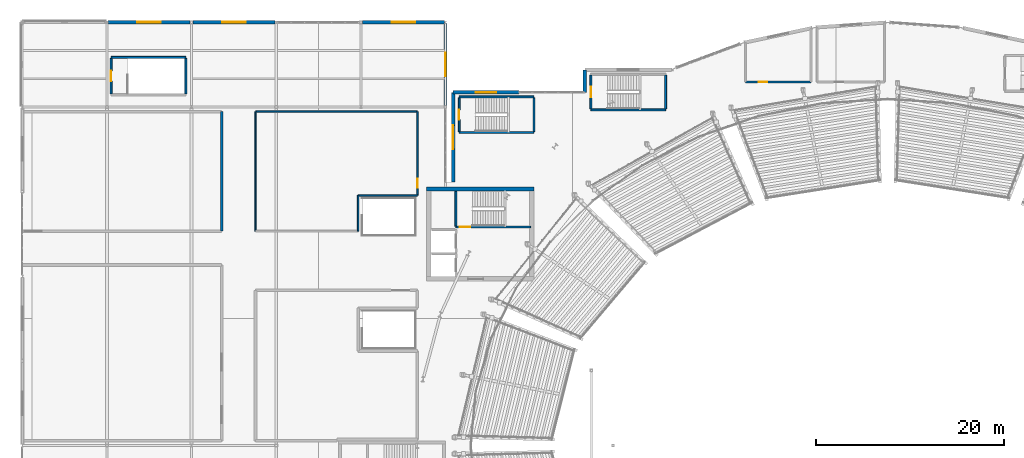
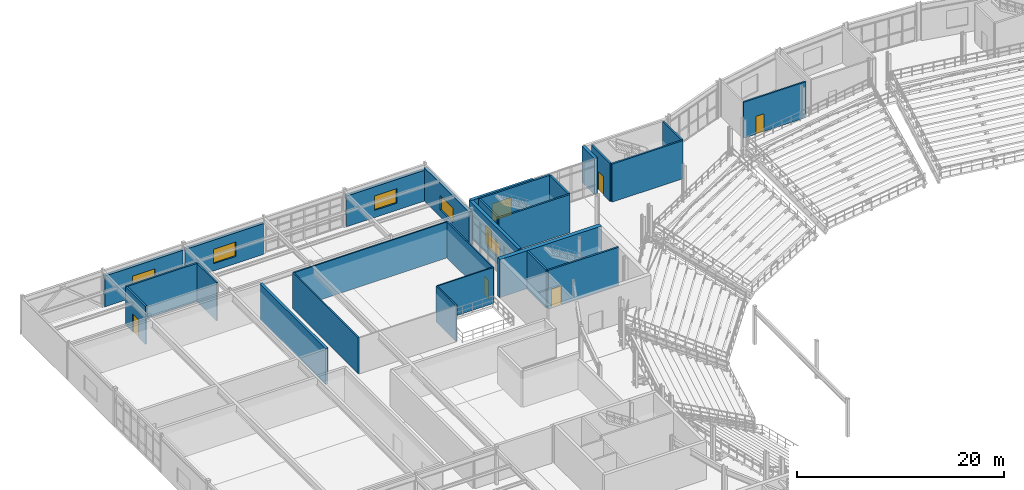
# One storey, part 57 of 81: 27 walls, 6 doors, 6 windows, 12 openings.
"""IFC4 building model written with IfcOpenShell, lengths in metres."""

from ifc_helpers import new_model, si_unit, direction, frame, frame_2d, origin, place, context, subcontext, project, spatial, rectangle, extrude, material, layer, layer_set, type_object, element, fill, save


model = new_model("IFC4")

# Units and contexts
model_context = context("Model", 3, precision=1e-05, world=origin(), true_north=direction((0.0, 1.0)))
body_context = subcontext(model_context, "Body", "Model", "MODEL_VIEW")
ifc_project = project(units=[si_unit("LENGTHUNIT", "METRE"), si_unit("AREAUNIT", "SQUARE_METRE"), si_unit("VOLUMEUNIT", "CUBIC_METRE"), si_unit("PLANEANGLEUNIT", "RADIAN"), si_unit("MASSUNIT", "GRAM", prefix="KILO")], contexts=[model_context])

# Site, building, storey
site_placement = place(None, origin())
site = spatial("IfcSite", under=ifc_project, at=site_placement, CompositionType="ELEMENT")
building_placement = place(site_placement, origin())
building = spatial("IfcBuilding", under=site, at=building_placement, Name="Glasvene Arena", CompositionType="ELEMENT")
storey_placement = place(building_placement, frame((0.0, 0.0, 15.0)))
storey = spatial("IfcBuildingStorey", under=building, at=storey_placement, Name="L03", CompositionType="ELEMENT", Elevation=15.0)

# Wall
ifc_material_1 = material(Name="Concrete C40/50", Category="concrete")
ifc_layer_1 = layer(ifc_material_1, 0.449951171875)
ifc_layer_set_1 = layer_set([ifc_layer_1], Name="Concrete C40/50")
wall_type_1 = type_object("IfcWallType", Name="WL-CORE-450", PredefinedType="SHEAR", material=ifc_layer_set_1)
wall_1_placement = place(storey_placement, frame((43.0, 100.27490234375, 0.0), z_axis=(0.0, 0.0, 1.0), x_axis=(1.0, 0.0, 0.0)))
element("IfcWall", 1, at=wall_1_placement, inside=storey, type_object=wall_type_1, Name="Core C1 North-West shear wall N L03", PredefinedType="SHEAR", context=body_context, shape_type="SweptSolid", body=[
    extrude(rectangle(XDim=11.39990234375, YDim=0.449951171875, at=frame_2d((5.699951171875, 0.0))), origin(), (0.0, 0.0, 1.0), 4.5),
])

# Wall, opening, window
ifc_material_2 = material(Name="Coursed pale Irish limestone", Category="masonry")
ifc_layer_2 = layer(ifc_material_2, 0.360107421875)
ifc_layer_set_2 = layer_set([ifc_layer_2], Name="Coursed pale Irish limestone")
wall_type_2 = type_object("IfcWallType", Name="WL-EXT-LIM-360", PredefinedType="STANDARD", material=ifc_layer_set_2)
wall_2_placement = place(storey_placement, frame((9.130126953125, 118.0, 0.0), z_axis=(0.0, 0.0, 1.0), x_axis=(1.0, 0.0, 0.0)))
wall_2 = element("IfcWall", 2, at=wall_2_placement, inside=storey, type_object=wall_type_2, Name="External facade wall EW-L03-0187", PredefinedType="STANDARD", context=body_context, shape_type="SweptSolid", body=[
    extrude(rectangle(XDim=8.7177734375, YDim=0.360107421875, at=frame_2d((4.35888671875, 0.0))), origin(), (0.0, 0.0, 1.0), 3.637451171875),
])
opening_1_placement = place(wall_2_placement, frame((3.10888671875, 0.0, 0.85009765625)))
opening_1 = element("IfcOpeningElement", 3, at=opening_1_placement, cuts=wall_2, Name="Opening W-14", PredefinedType="OPENING", context=body_context, shape_type="SweptSolid", body=[
    extrude(rectangle(XDim=2.5, YDim=1.699951171875, at=frame_2d((1.25, 0.85009765625))), frame((0.0, 0.18994140625, 0.0), z_axis=(0.0, -1.0, 0.0), x_axis=(1.0, 0.0, 0.0)), (0.0, 0.0, 1.0), 0.380126953125),
])
ifc_material_3 = material(Name="Low-emissivity laminated double glazing", Category="glass")
window_type_1 = type_object("IfcWindowType", Name="WN-MED-250x170", PartitioningType="DOUBLE_PANEL_VERTICAL", PredefinedType="WINDOW", material=ifc_material_3)
window_1_placement = place(opening_1_placement, origin())
window_1 = element("IfcWindow", 4, at=window_1_placement, inside=storey, type_object=window_type_1, Name="Facade window WN-MED-250x170 L03-0118", OverallHeight=1.699951171875, OverallWidth=2.5, PartitioningType="SINGLE_PANEL", PredefinedType="WINDOW", context=body_context, shape_type="SweptSolid", body=[
    extrude(rectangle(XDim=2.5, YDim=1.699951171875, at=frame_2d((1.25, 0.85009765625))), frame((0.0, 0.030029296875, 0.0), z_axis=(0.0, -1.0, 0.0), x_axis=(1.0, 0.0, 0.0)), (0.0, 0.0, 1.0), 0.06005859375),
])
fill(opening_1, window_1)

wall_3_placement = place(storey_placement, frame((18.152099609375, 118.0, 0.0), z_axis=(0.0, 0.0, 1.0), x_axis=(1.0, 0.0, 0.0)))
wall_3 = element("IfcWall", 5, at=wall_3_placement, inside=storey, type_object=wall_type_2, Name="External facade wall EW-L03-0188", PredefinedType="STANDARD", context=body_context, shape_type="SweptSolid", body=[
    extrude(rectangle(XDim=8.7177734375, YDim=0.360107421875, at=frame_2d((4.35888671875, 0.0))), origin(), (0.0, 0.0, 1.0), 3.637451171875),
])
opening_2_placement = place(wall_3_placement, frame((3.10888671875, 0.0, 0.85009765625)))
opening_2 = element("IfcOpeningElement", 6, at=opening_2_placement, cuts=wall_3, Name="Opening W-14", PredefinedType="OPENING", context=body_context, shape_type="SweptSolid", body=[
    extrude(rectangle(XDim=2.5, YDim=1.699951171875, at=frame_2d((1.25, 0.85009765625))), frame((0.0, 0.18994140625, 0.0), z_axis=(0.0, -1.0, 0.0), x_axis=(1.0, 0.0, 0.0)), (0.0, 0.0, 1.0), 0.380126953125),
])
window_2_placement = place(opening_2_placement, origin())
window_2 = element("IfcWindow", 7, at=window_2_placement, inside=storey, type_object=window_type_1, Name="Facade window WN-MED-250x170 L03-0119", OverallHeight=1.699951171875, OverallWidth=2.5, PartitioningType="SINGLE_PANEL", PredefinedType="WINDOW", context=body_context, shape_type="SweptSolid", body=[
    extrude(rectangle(XDim=2.5, YDim=1.699951171875, at=frame_2d((1.25, 0.85009765625))), frame((0.0, 0.030029296875, 0.0), z_axis=(0.0, -1.0, 0.0), x_axis=(1.0, 0.0, 0.0)), (0.0, 0.0, 1.0), 0.06005859375),
])
fill(opening_2, window_2)

wall_4_placement = place(storey_placement, frame((36.152099609375, 118.0, 0.0), z_axis=(0.0, 0.0, 1.0), x_axis=(1.0, 0.0, 0.0)))
wall_4 = element("IfcWall", 8, at=wall_4_placement, inside=storey, type_object=wall_type_2, Name="External facade wall EW-L03-0189", PredefinedType="STANDARD", context=body_context, shape_type="SweptSolid", body=[
    extrude(rectangle(XDim=8.7177734375, YDim=0.360107421875, at=frame_2d((4.35888671875, 0.0))), origin(), (0.0, 0.0, 1.0), 3.637451171875),
])
opening_3_placement = place(wall_4_placement, frame((3.10888671875, 0.0, 0.85009765625)))
opening_3 = element("IfcOpeningElement", 9, at=opening_3_placement, cuts=wall_4, Name="Opening W-14", PredefinedType="OPENING", context=body_context, shape_type="SweptSolid", body=[
    extrude(rectangle(XDim=2.5, YDim=1.699951171875, at=frame_2d((1.25, 0.85009765625))), frame((0.0, 0.18994140625, 0.0), z_axis=(0.0, -1.0, 0.0), x_axis=(1.0, 0.0, 0.0)), (0.0, 0.0, 1.0), 0.380126953125),
])
window_3_placement = place(opening_3_placement, origin())
window_3 = element("IfcWindow", 10, at=window_3_placement, inside=storey, type_object=window_type_1, Name="Facade window WN-MED-250x170 L03-0120", OverallHeight=1.699951171875, OverallWidth=2.5, PartitioningType="SINGLE_PANEL", PredefinedType="WINDOW", context=body_context, shape_type="SweptSolid", body=[
    extrude(rectangle(XDim=2.5, YDim=1.699951171875, at=frame_2d((1.25, 0.85009765625))), frame((0.0, 0.030029296875, 0.0), z_axis=(0.0, -1.0, 0.0), x_axis=(1.0, 0.0, 0.0)), (0.0, 0.0, 1.0), 0.06005859375),
])
fill(opening_3, window_3)

wall_5_placement = place(storey_placement, frame((45.0, 117.867919921875, 0.0), z_axis=(0.0, 0.0, 1.0), x_axis=(0.0, -1.0, 0.0)))
wall_5 = element("IfcWall", 11, at=wall_5_placement, inside=storey, type_object=wall_type_2, Name="External facade wall EW-L03-0190", PredefinedType="STANDARD", context=body_context, shape_type="SweptSolid", body=[
    extrude(rectangle(XDim=8.7158203125, YDim=0.360107421875, at=frame_2d((4.35791015625, 0.0))), origin(), (0.0, 0.0, 1.0), 3.945068359375),
])
opening_4_placement = place(wall_5_placement, frame((3.10791015625, 0.0, 0.85009765625)))
opening_4 = element("IfcOpeningElement", 12, at=opening_4_placement, cuts=wall_5, Name="Opening W-14", PredefinedType="OPENING", context=body_context, shape_type="SweptSolid", body=[
    extrude(rectangle(XDim=2.5, YDim=1.699951171875, at=frame_2d((1.25, 0.85009765625))), frame((0.0, 0.18994140625, 0.0), z_axis=(0.0, -1.0, 0.0), x_axis=(1.0, 0.0, 0.0)), (0.0, 0.0, 1.0), 0.380126953125),
])
window_4_placement = place(opening_4_placement, origin())
window_4 = element("IfcWindow", 13, at=window_4_placement, inside=storey, type_object=window_type_1, Name="Facade window WN-MED-250x170 L03-0121", OverallHeight=1.699951171875, OverallWidth=2.5, PartitioningType="SINGLE_PANEL", PredefinedType="WINDOW", context=body_context, shape_type="SweptSolid", body=[
    extrude(rectangle(XDim=2.5, YDim=1.699951171875, at=frame_2d((1.25, 0.85009765625))), frame((0.0, 0.030029296875, 0.0), z_axis=(0.0, -1.0, 0.0), x_axis=(1.0, 0.0, 0.0)), (0.0, 0.0, 1.0), 0.06005859375),
])
fill(opening_4, window_4)

wall_6_placement = place(storey_placement, frame((45.800048828125, 101.0, 0.0), z_axis=(0.0, 0.0, 1.0), x_axis=(0.0, 1.0, 0.0)))
wall_6 = element("IfcWall", 14, at=wall_6_placement, inside=storey, type_object=wall_type_2, Name="External facade wall EW-L03-0191", PredefinedType="STANDARD", context=body_context, shape_type="SweptSolid", body=[
    extrude(rectangle(XDim=9.550048828125, YDim=0.360107421875, at=frame_2d((4.77490234375, 0.0))), origin(), (0.0, 0.0, 1.0), 4.25),
])
opening_5_placement = place(wall_6_placement, frame((3.52490234375, 0.0, 0.85009765625)))
opening_5 = element("IfcOpeningElement", 15, at=opening_5_placement, cuts=wall_6, Name="Opening W-14", PredefinedType="OPENING", context=body_context, shape_type="SweptSolid", body=[
    extrude(rectangle(XDim=2.5, YDim=1.699951171875, at=frame_2d((1.25, 0.85009765625))), frame((0.0, 0.18994140625, 0.0), z_axis=(0.0, -1.0, 0.0), x_axis=(1.0, 0.0, 0.0)), (0.0, 0.0, 1.0), 0.380126953125),
])
window_5_placement = place(opening_5_placement, origin())
window_5 = element("IfcWindow", 16, at=window_5_placement, inside=storey, type_object=window_type_1, Name="Facade window WN-MED-250x170 L03-0122", OverallHeight=1.699951171875, OverallWidth=2.5, PartitioningType="SINGLE_PANEL", PredefinedType="WINDOW", context=body_context, shape_type="SweptSolid", body=[
    extrude(rectangle(XDim=2.5, YDim=1.699951171875, at=frame_2d((1.25, 0.85009765625))), frame((0.0, 0.030029296875, 0.0), z_axis=(0.0, -1.0, 0.0), x_axis=(1.0, 0.0, 0.0)), (0.0, 0.0, 1.0), 0.06005859375),
])
fill(opening_5, window_5)

wall_7_placement = place(storey_placement, frame((45.800048828125, 110.550048828125, 0.0), z_axis=(0.0, 0.0, 1.0), x_axis=(1.0, 0.0, 0.0)))
wall_7 = element("IfcWall", 17, at=wall_7_placement, inside=storey, type_object=wall_type_2, Name="External facade wall EW-L03-0192", PredefinedType="STANDARD", context=body_context, shape_type="SweptSolid", body=[
    extrude(rectangle(XDim=7.0, YDim=0.360107421875, at=frame_2d((3.5, 0.0))), origin(), (0.0, 0.0, 1.0), 4.25),
])
opening_6_placement = place(wall_7_placement, frame((2.39990234375, 0.0, 0.85009765625)))
opening_6 = element("IfcOpeningElement", 18, at=opening_6_placement, cuts=wall_7, Name="Opening W-09", PredefinedType="OPENING", context=body_context, shape_type="SweptSolid", body=[
    extrude(rectangle(XDim=2.199951171875, YDim=2.10009765625, at=frame_2d((1.10009765625, 1.050048828125))), frame((0.0, 0.18994140625, 0.0), z_axis=(0.0, -1.0, 0.0), x_axis=(1.0, 0.0, 0.0)), (0.0, 0.0, 1.0), 0.380126953125),
])
window_type_2 = type_object("IfcWindowType", Name="WN-SUITE-220x210", PartitioningType="DOUBLE_PANEL_VERTICAL", PredefinedType="WINDOW", material=ifc_material_3)
window_6_placement = place(opening_6_placement, origin())
window_6 = element("IfcWindow", 19, at=window_6_placement, inside=storey, type_object=window_type_2, Name="Facade window WN-SUITE-220x210 L03-0123", OverallHeight=2.10009765625, OverallWidth=2.199951171875, PartitioningType="SINGLE_PANEL", PredefinedType="WINDOW", context=body_context, shape_type="SweptSolid", body=[
    extrude(rectangle(XDim=2.199951171875, YDim=2.10009765625, at=frame_2d((1.10009765625, 1.050048828125))), frame((0.0, 0.030029296875, 0.0), z_axis=(0.0, -1.0, 0.0), x_axis=(1.0, 0.0, 0.0)), (0.0, 0.0, 1.0), 0.06005859375),
])
fill(opening_6, window_6)

# Walls
wall_8_placement = place(storey_placement, frame((59.800048828125, 110.550048828125, 0.0), z_axis=(0.0, 0.0, 1.0), x_axis=(0.0, 1.0, 0.0)))
element("IfcWall", 20, at=wall_8_placement, inside=storey, type_object=wall_type_2, Name="External facade wall EW-L03-0193", PredefinedType="STANDARD", context=body_context, shape_type="SweptSolid", body=[
    extrude(rectangle(XDim=2.39990234375, YDim=0.360107421875, at=frame_2d((1.199951171875, 0.0))), origin(), (0.0, 0.0, 1.0), 4.25),
])
ifc_material_4 = material(Name="Insulated acoustic metal-stud partition")
ifc_layer_3 = layer(ifc_material_4, 0.14990234375)
ifc_layer_set_3 = layer_set([ifc_layer_3], Name="Insulated acoustic metal-stud partition")
wall_type_3 = type_object("IfcWallType", Name="WL-PART-150", PredefinedType="PARTITIONING", material=ifc_layer_set_3)
wall_9_placement = place(storey_placement, frame((24.800048828125, 95.800048828125, 0.0), z_axis=(0.0, 0.0, 1.0), x_axis=(0.0, 1.0, 0.0)))
element("IfcWall", 21, at=wall_9_placement, inside=storey, type_object=wall_type_3, Name="Interior partition wall IW-L03-0295 (Media Catering Lounge)", PredefinedType="PARTITIONING", context=body_context, shape_type="SweptSolid", body=[
    extrude(rectangle(XDim=12.699951171875, YDim=0.14990234375, at=frame_2d((6.35009765625, 0.0))), origin(), (0.0, 0.0, 1.0), 4.25),
])
wall_10_placement = place(storey_placement, frame((24.800048828125, 108.5, 0.0), z_axis=(0.0, 0.0, 1.0), x_axis=(1.0, 0.0, 0.0)))
element("IfcWall", 22, at=wall_10_placement, inside=storey, type_object=wall_type_3, Name="Interior partition wall IW-L03-0296 (Media Catering Lounge)", PredefinedType="PARTITIONING", context=body_context, shape_type="SweptSolid", body=[
    extrude(rectangle(XDim=17.199951171875, YDim=0.14990234375, at=frame_2d((8.60009765625, 0.0))), origin(), (0.0, 0.0, 1.0), 4.25),
])

# Wall, opening, door
wall_11_placement = place(storey_placement, frame((42.0, 108.5, 0.0), z_axis=(0.0, 0.0, 1.0), x_axis=(0.0, -1.0, 0.0)))
wall_11 = element("IfcWall", 23, at=wall_11_placement, inside=storey, type_object=wall_type_3, Name="Interior partition wall IW-L03-0297 (Media Catering Lounge)", PredefinedType="PARTITIONING", context=body_context, shape_type="SweptSolid", body=[
    extrude(rectangle(XDim=8.89990234375, YDim=0.14990234375, at=frame_2d((4.449951171875, 0.0))), origin(), (0.0, 0.0, 1.0), 4.25),
])
opening_7_placement = place(wall_11_placement, frame((7.160888671875, 0.0, 0.0)))
opening_7 = element("IfcOpeningElement", 24, at=opening_7_placement, cuts=wall_11, Name="Opening D-12", PredefinedType="OPENING", context=body_context, shape_type="SweptSolid", body=[
    extrude(rectangle(XDim=0.919921875, YDim=2.14990234375, at=frame_2d((0.4599609375, 1.074951171875))), frame((0.0, 0.0849609375, 0.0), z_axis=(0.0, -1.0, 0.0), x_axis=(1.0, 0.0, 0.0)), (0.0, 0.0, 1.0), 0.169921875),
])
ifc_material_5 = material(Name="European oak acoustic timber", Category="wood")
door_type_1 = type_object("IfcDoorType", Name="DR-SUITE-920", OperationType="NOTDEFINED", PredefinedType="DOOR", material=ifc_material_5)
door_1_placement = place(opening_7_placement, origin())
door_1 = element("IfcDoor", 25, at=door_1_placement, inside=storey, type_object=door_type_1, Name="Interior door DR-SUITE-920 (Media Catering Lounge)", OperationType="SINGLE_SWING_RIGHT", OverallHeight=2.14990234375, OverallWidth=0.919921875, PredefinedType="DOOR", context=body_context, shape_type="SweptSolid", body=[
    extrude(rectangle(XDim=0.919921875, YDim=2.14990234375, at=frame_2d((0.4599609375, 1.074951171875))), frame((0.0, 0.02490234375, 0.0), z_axis=(0.0, -1.0, 0.0), x_axis=(1.0, 0.0, 0.0)), (0.0, 0.0, 1.0), 0.050048828125),
])
fill(opening_7, door_1)

# Walls
wall_12_placement = place(storey_placement, frame((42.0, 99.60009765625, 0.0), z_axis=(0.0, 0.0, 1.0), x_axis=(-1.0, 0.0, 0.0)))
element("IfcWall", 26, at=wall_12_placement, inside=storey, type_object=wall_type_3, Name="Interior partition wall IW-L03-0298 (Media Catering Lounge)", PredefinedType="PARTITIONING", context=body_context, shape_type="SweptSolid", body=[
    extrude(rectangle(XDim=6.300048828125, YDim=0.14990234375, at=frame_2d((3.14990234375, 0.0))), origin(), (0.0, 0.0, 1.0), 4.25),
])
wall_13_placement = place(storey_placement, frame((35.699951171875, 99.60009765625, 0.0), z_axis=(0.0, 0.0, 1.0), x_axis=(0.0, -1.0, 0.0)))
element("IfcWall", 27, at=wall_13_placement, inside=storey, type_object=wall_type_3, Name="Interior partition wall IW-L03-0299 (Media Catering Lounge)", PredefinedType="PARTITIONING", context=body_context, shape_type="SweptSolid", body=[
    extrude(rectangle(XDim=3.800048828125, YDim=0.14990234375, at=frame_2d((1.89990234375, 0.0))), origin(), (0.0, 0.0, 1.0), 4.25),
])

# Wall, opening, door
ifc_layer_4 = layer(ifc_material_1, 0.199951171875)
ifc_layer_set_4 = layer_set([ifc_layer_4], Name="Concrete C40/50")
wall_type_4 = type_object("IfcWallType", Name="WL-SHAFT-200", PredefinedType="SHEAR", material=ifc_layer_set_4)
wall_14_placement = place(storey_placement, frame((46.10009765625, 96.22998046875, 0.0), z_axis=(0.0, 0.0, 1.0), x_axis=(1.0, 0.0, 0.0)))
wall_14 = element("IfcWall", 28, at=wall_14_placement, inside=storey, type_object=wall_type_4, Name="Escape stair shaft wall ST-01 L03 S", PredefinedType="SHEAR", context=body_context, shape_type="SweptSolid", body=[
    extrude(rectangle(XDim=7.949951171875, YDim=0.199951171875, at=frame_2d((3.97509765625, 0.0))), origin(), (0.0, 0.0, 1.0), 4.5),
])
opening_8_placement = place(wall_14_placement, frame((0.39990234375, 0.0, 0.0)))
opening_8 = element("IfcOpeningElement", 29, at=opening_8_placement, cuts=wall_14, Name="Opening D-04", PredefinedType="OPENING", context=body_context, shape_type="SweptSolid", body=[
    extrude(rectangle(XDim=1.10009765625, YDim=2.14990234375, at=frame_2d((0.550048828125, 1.074951171875))), frame((0.0, 0.10986328125, 0.0), z_axis=(0.0, -1.0, 0.0), x_axis=(1.0, 0.0, 0.0)), (0.0, 0.0, 1.0), 0.219970703125),
])
ifc_material_6 = material(Name="Painted fire-resisting steel", Category="steel")
door_type_2 = type_object("IfcDoorType", Name="DR-FD60-1100", OperationType="NOTDEFINED", PredefinedType="DOOR", material=ifc_material_6)
door_2_placement = place(opening_8_placement, frame((1.10009765625, 0.0, 0.0), z_axis=(0.0, 0.0, 1.0), x_axis=(-1.0, 0.0, 0.0)))
door_2 = element("IfcDoor", 30, at=door_2_placement, inside=storey, type_object=door_type_2, Name="Protected escape stair door ST-01 L03", OperationType="SINGLE_SWING_RIGHT", OverallHeight=2.14990234375, OverallWidth=1.10009765625, PredefinedType="DOOR", context=body_context, shape_type="SweptSolid", body=[
    extrude(rectangle(XDim=1.10009765625, YDim=2.14990234375, at=frame_2d((0.550048828125, 1.074951171875))), frame((0.0, 0.02490234375, 0.0), z_axis=(0.0, -1.0, 0.0), x_axis=(1.0, 0.0, 0.0)), (0.0, 0.0, 1.0), 0.050048828125),
])
fill(opening_8, door_2)

# Walls
wall_15_placement = place(storey_placement, frame((46.10009765625, 96.33203125, 0.0), z_axis=(0.0, 0.0, 1.0), x_axis=(0.0, 1.0, 0.0)))
element("IfcWall", 31, at=wall_15_placement, inside=storey, type_object=wall_type_4, Name="Escape stair shaft wall ST-01 L03 W", PredefinedType="SHEAR", context=body_context, shape_type="SweptSolid", body=[
    extrude(rectangle(XDim=3.68603515625, YDim=0.199951171875, at=frame_2d((1.843017578125, 0.0))), origin(), (0.0, 0.0, 1.0), 4.5),
])
wall_16_placement = place(storey_placement, frame((60.449951171875, 108.679931640625, 0.0), z_axis=(0.0, 0.0, 1.0), x_axis=(1.0, 0.0, 0.0)))
element("IfcWall", 32, at=wall_16_placement, inside=storey, type_object=wall_type_4, Name="Escape stair shaft wall ST-10 L03 S", PredefinedType="SHEAR", context=body_context, shape_type="SweptSolid", body=[
    extrude(rectangle(XDim=7.949951171875, YDim=0.199951171875, at=frame_2d((3.97509765625, 0.0))), origin(), (0.0, 0.0, 1.0), 4.5),
])

# Wall, opening, door
wall_17_placement = place(storey_placement, frame((60.449951171875, 108.781982421875, 0.0), z_axis=(0.0, 0.0, 1.0), x_axis=(0.0, 1.0, 0.0)))
wall_17 = element("IfcWall", 33, at=wall_17_placement, inside=storey, type_object=wall_type_4, Name="Escape stair shaft wall ST-10 L03 W", PredefinedType="SHEAR", context=body_context, shape_type="SweptSolid", body=[
    extrude(rectangle(XDim=3.5859375, YDim=0.199951171875, at=frame_2d((1.79296875, 0.0))), origin(), (0.0, 0.0, 1.0), 4.5),
])
opening_9_placement = place(wall_17_placement, frame((1.242919921875, 0.0, 0.0)))
opening_9 = element("IfcOpeningElement", 34, at=opening_9_placement, cuts=wall_17, Name="Opening D-04", PredefinedType="OPENING", context=body_context, shape_type="SweptSolid", body=[
    extrude(rectangle(XDim=1.10009765625, YDim=2.14990234375, at=frame_2d((0.550048828125, 1.074951171875))), frame((0.0, 0.10986328125, 0.0), z_axis=(0.0, -1.0, 0.0), x_axis=(1.0, 0.0, 0.0)), (0.0, 0.0, 1.0), 0.219970703125),
])
door_3_placement = place(opening_9_placement, frame((1.10009765625, 0.0, 0.0), z_axis=(0.0, 0.0, 1.0), x_axis=(-1.0, 0.0, 0.0)))
door_3 = element("IfcDoor", 35, at=door_3_placement, inside=storey, type_object=door_type_2, Name="Protected escape stair door ST-10 L03", OperationType="SINGLE_SWING_RIGHT", OverallHeight=2.14990234375, OverallWidth=1.10009765625, PredefinedType="DOOR", context=body_context, shape_type="SweptSolid", body=[
    extrude(rectangle(XDim=1.10009765625, YDim=2.14990234375, at=frame_2d((0.550048828125, 1.074951171875))), frame((0.0, 0.02490234375, 0.0), z_axis=(0.0, -1.0, 0.0), x_axis=(1.0, 0.0, 0.0)), (0.0, 0.0, 1.0), 0.050048828125),
])
fill(opening_9, door_3)

# Walls
wall_18_placement = place(storey_placement, frame((68.39990234375, 108.781982421875, 0.0), z_axis=(0.0, 0.0, 1.0), x_axis=(0.0, 1.0, 0.0)))
element("IfcWall", 36, at=wall_18_placement, inside=storey, type_object=wall_type_4, Name="Escape stair shaft wall ST-10 L03 E", PredefinedType="SHEAR", context=body_context, shape_type="SweptSolid", body=[
    extrude(rectangle(XDim=3.5859375, YDim=0.199951171875, at=frame_2d((1.79296875, 0.0))), origin(), (0.0, 0.0, 1.0), 4.5),
])
wall_19_placement = place(storey_placement, frame((46.449951171875, 106.280029296875, 0.0), z_axis=(0.0, 0.0, 1.0), x_axis=(1.0, 0.0, 0.0)))
element("IfcWall", 37, at=wall_19_placement, inside=storey, type_object=wall_type_4, Name="Escape stair shaft wall ST-12 L03 S", PredefinedType="SHEAR", context=body_context, shape_type="SweptSolid", body=[
    extrude(rectangle(XDim=7.949951171875, YDim=0.199951171875, at=frame_2d((3.97509765625, 0.0))), origin(), (0.0, 0.0, 1.0), 4.5),
])

# Wall, opening, door
wall_20_placement = place(storey_placement, frame((46.449951171875, 106.382080078125, 0.0), z_axis=(0.0, 0.0, 1.0), x_axis=(0.0, 1.0, 0.0)))
wall_20 = element("IfcWall", 38, at=wall_20_placement, inside=storey, type_object=wall_type_4, Name="Escape stair shaft wall ST-12 L03 W", PredefinedType="SHEAR", context=body_context, shape_type="SweptSolid", body=[
    extrude(rectangle(XDim=3.5859375, YDim=0.199951171875, at=frame_2d((1.79296875, 0.0))), origin(), (0.0, 0.0, 1.0), 4.5),
])
opening_10_placement = place(wall_20_placement, frame((1.242919921875, 0.0, 0.0)))
opening_10 = element("IfcOpeningElement", 39, at=opening_10_placement, cuts=wall_20, Name="Opening D-04", PredefinedType="OPENING", context=body_context, shape_type="SweptSolid", body=[
    extrude(rectangle(XDim=1.10009765625, YDim=2.14990234375, at=frame_2d((0.550048828125, 1.074951171875))), frame((0.0, 0.10986328125, 0.0), z_axis=(0.0, -1.0, 0.0), x_axis=(1.0, 0.0, 0.0)), (0.0, 0.0, 1.0), 0.219970703125),
])
door_4_placement = place(opening_10_placement, frame((1.10009765625, 0.0, 0.0), z_axis=(0.0, 0.0, 1.0), x_axis=(-1.0, 0.0, 0.0)))
door_4 = element("IfcDoor", 40, at=door_4_placement, inside=storey, type_object=door_type_2, Name="Protected escape stair door ST-12 L03", OperationType="SINGLE_SWING_RIGHT", OverallHeight=2.14990234375, OverallWidth=1.10009765625, PredefinedType="DOOR", context=body_context, shape_type="SweptSolid", body=[
    extrude(rectangle(XDim=1.10009765625, YDim=2.14990234375, at=frame_2d((0.550048828125, 1.074951171875))), frame((0.0, 0.02490234375, 0.0), z_axis=(0.0, -1.0, 0.0), x_axis=(1.0, 0.0, 0.0)), (0.0, 0.0, 1.0), 0.050048828125),
])
fill(opening_10, door_4)

# Walls
wall_21_placement = place(storey_placement, frame((54.39990234375, 106.382080078125, 0.0), z_axis=(0.0, 0.0, 1.0), x_axis=(0.0, 1.0, 0.0)))
element("IfcWall", 41, at=wall_21_placement, inside=storey, type_object=wall_type_4, Name="Escape stair shaft wall ST-12 L03 E", PredefinedType="SHEAR", context=body_context, shape_type="SweptSolid", body=[
    extrude(rectangle(XDim=3.5859375, YDim=0.199951171875, at=frame_2d((1.79296875, 0.0))), origin(), (0.0, 0.0, 1.0), 4.5),
])
wall_22_placement = place(storey_placement, frame((46.449951171875, 110.070068359375, 0.0), z_axis=(0.0, 0.0, 1.0), x_axis=(1.0, 0.0, 0.0)))
element("IfcWall", 42, at=wall_22_placement, inside=storey, type_object=wall_type_4, Name="Escape stair shaft wall ST-12 L03 N", PredefinedType="SHEAR", context=body_context, shape_type="SweptSolid", body=[
    extrude(rectangle(XDim=7.949951171875, YDim=0.199951171875, at=frame_2d((3.97509765625, 0.0))), origin(), (0.0, 0.0, 1.0), 4.5),
])

# Wall, opening, door
wall_23_placement = place(storey_placement, frame((9.449951171875, 110.382080078125, 0.0), z_axis=(0.0, 0.0, 1.0), x_axis=(0.0, 1.0, 0.0)))
wall_23 = element("IfcWall", 43, at=wall_23_placement, inside=storey, type_object=wall_type_4, Name="Escape stair shaft wall ST-14 L03 W", PredefinedType="SHEAR", context=body_context, shape_type="SweptSolid", body=[
    extrude(rectangle(XDim=3.785888671875, YDim=0.199951171875, at=frame_2d((1.89306640625, 0.0))), origin(), (0.0, 0.0, 1.0), 4.5),
])
opening_11_placement = place(wall_23_placement, frame((1.343017578125, 0.0, 0.0)))
opening_11 = element("IfcOpeningElement", 44, at=opening_11_placement, cuts=wall_23, Name="Opening D-04", PredefinedType="OPENING", context=body_context, shape_type="SweptSolid", body=[
    extrude(rectangle(XDim=1.10009765625, YDim=2.14990234375, at=frame_2d((0.550048828125, 1.074951171875))), frame((0.0, 0.10986328125, 0.0), z_axis=(0.0, -1.0, 0.0), x_axis=(1.0, 0.0, 0.0)), (0.0, 0.0, 1.0), 0.219970703125),
])
door_5_placement = place(opening_11_placement, frame((1.10009765625, 0.0, 0.0), z_axis=(0.0, 0.0, 1.0), x_axis=(-1.0, 0.0, 0.0)))
door_5 = element("IfcDoor", 45, at=door_5_placement, inside=storey, type_object=door_type_2, Name="Protected escape stair door ST-14 L03", OperationType="SINGLE_SWING_LEFT", OverallHeight=2.14990234375, OverallWidth=1.10009765625, PredefinedType="DOOR", context=body_context, shape_type="SweptSolid", body=[
    extrude(rectangle(XDim=1.10009765625, YDim=2.14990234375, at=frame_2d((0.550048828125, 1.074951171875))), frame((0.0, 0.02490234375, 0.0), z_axis=(0.0, -1.0, 0.0), x_axis=(1.0, 0.0, 0.0)), (0.0, 0.0, 1.0), 0.050048828125),
])
fill(opening_11, door_5)

# Walls
wall_24_placement = place(storey_placement, frame((17.39990234375, 110.382080078125, 0.0), z_axis=(0.0, 0.0, 1.0), x_axis=(0.0, 1.0, 0.0)))
element("IfcWall", 46, at=wall_24_placement, inside=storey, type_object=wall_type_4, Name="Escape stair shaft wall ST-14 L03 E", PredefinedType="SHEAR", context=body_context, shape_type="SweptSolid", body=[
    extrude(rectangle(XDim=3.785888671875, YDim=0.199951171875, at=frame_2d((1.89306640625, 0.0))), origin(), (0.0, 0.0, 1.0), 4.5),
])
wall_25_placement = place(storey_placement, frame((9.449951171875, 114.27001953125, 0.0), z_axis=(0.0, 0.0, 1.0), x_axis=(1.0, 0.0, 0.0)))
element("IfcWall", 47, at=wall_25_placement, inside=storey, type_object=wall_type_4, Name="Escape stair shaft wall ST-14 L03 N", PredefinedType="SHEAR", context=body_context, shape_type="SweptSolid", body=[
    extrude(rectangle(XDim=7.949951171875, YDim=0.199951171875, at=frame_2d((3.97509765625, 0.0))), origin(), (0.0, 0.0, 1.0), 4.5),
])
ifc_material_7 = material(Name="Twin-frame acoustic gypsum partition")
ifc_layer_5 = layer(ifc_material_7, 0.280029296875)
ifc_layer_set_5 = layer_set([ifc_layer_5], Name="Twin-frame acoustic gypsum partition")
wall_type_5 = type_object("IfcWallType", Name="WL-STUDIO-280", PredefinedType="PARTITIONING", material=ifc_layer_set_5)
wall_26_placement = place(storey_placement, frame((21.199951171875, 108.5, 0.0), z_axis=(0.0, 0.0, 1.0), x_axis=(0.0, -1.0, 0.0)))
element("IfcWall", 48, at=wall_26_placement, inside=storey, type_object=wall_type_5, Name="Interior partition wall IW-L03-0292 (International Broadcast Compound)", PredefinedType="PARTITIONING", context=body_context, shape_type="SweptSolid", body=[
    extrude(rectangle(XDim=12.699951171875, YDim=0.280029296875, at=frame_2d((6.35009765625, 0.0))), origin(), (0.0, 0.0, 1.0), 4.25),
])

# Wall, opening, door
ifc_material_8 = material(Name="Moisture-resistant masonry blockwork", Category="masonry")
ifc_layer_6 = layer(ifc_material_8, 0.179931640625)
ifc_layer_set_6 = layer_set([ifc_layer_6], Name="Moisture-resistant masonry blockwork")
wall_type_6 = type_object("IfcWallType", Name="WL-WET-180", PredefinedType="PARTITIONING", material=ifc_layer_set_6)
wall_27_placement = place(storey_placement, frame((83.85009765625, 111.64990234375, 0.0), z_axis=(0.0, 0.0, 1.0), x_axis=(-1.0, 0.0, 0.0)))
wall_27 = element("IfcWall", 49, at=wall_27_placement, inside=storey, type_object=wall_type_6, Name="Interior partition wall IW-L03-0273 (L03 Public Male WC)", PredefinedType="PARTITIONING", context=body_context, shape_type="SweptSolid", body=[
    extrude(rectangle(XDim=6.9501953125, YDim=0.179931640625, at=frame_2d((3.47509765625, 0.0))), origin(), (0.0, 0.0, 1.0), 4.25),
])
opening_12_placement = place(wall_27_placement, frame((4.659912109375, 0.0, 0.0)))
opening_12 = element("IfcOpeningElement", 50, at=opening_12_placement, cuts=wall_27, Name="Opening D-13", PredefinedType="OPENING", context=body_context, shape_type="SweptSolid", body=[
    extrude(rectangle(XDim=0.89990234375, YDim=2.10009765625, at=frame_2d((0.449951171875, 1.050048828125))), frame((0.0, 0.10009765625, 0.0), z_axis=(0.0, -1.0, 0.0), x_axis=(1.0, 0.0, 0.0)), (0.0, 0.0, 1.0), 0.199951171875),
])
ifc_material_9 = material(Name="Moisture-resistant laminate timber", Category="wood")
door_type_3 = type_object("IfcDoorType", Name="DR-WC-900", OperationType="NOTDEFINED", PredefinedType="DOOR", material=ifc_material_9)
door_6_placement = place(opening_12_placement, origin())
door_6 = element("IfcDoor", 51, at=door_6_placement, inside=storey, type_object=door_type_3, Name="Interior door DR-WC-900 (L03 Public Male WC)", OperationType="SINGLE_SWING_RIGHT", OverallHeight=2.10009765625, OverallWidth=0.89990234375, PredefinedType="DOOR", context=body_context, shape_type="SweptSolid", body=[
    extrude(rectangle(XDim=0.89990234375, YDim=2.10009765625, at=frame_2d((0.449951171875, 1.050048828125))), frame((0.0, 0.02490234375, 0.0), z_axis=(0.0, -1.0, 0.0), x_axis=(1.0, 0.0, 0.0)), (0.0, 0.0, 1.0), 0.050048828125),
])
fill(opening_12, door_6)

save(model, "model.ifc")
